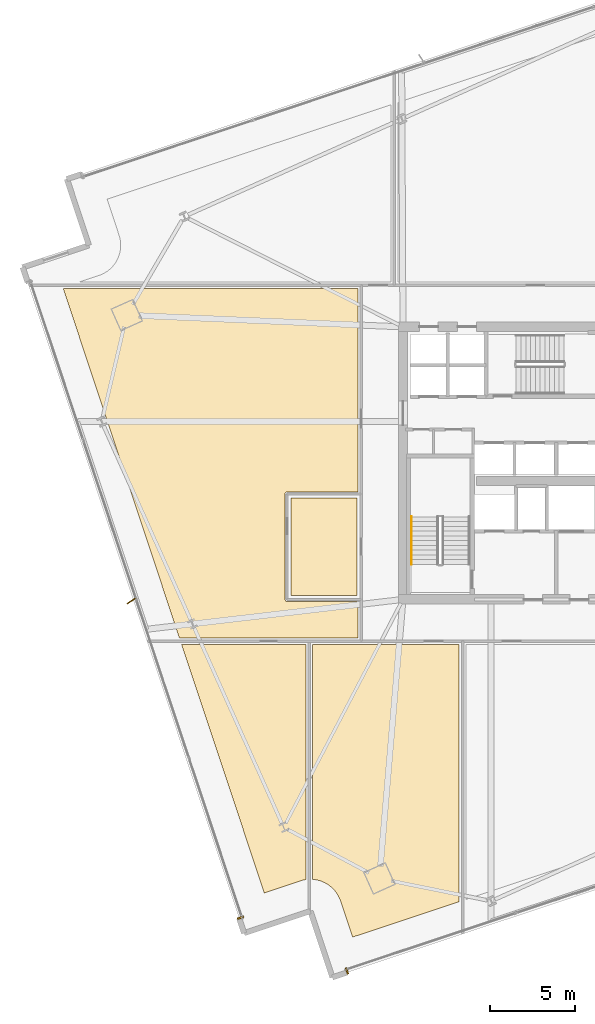
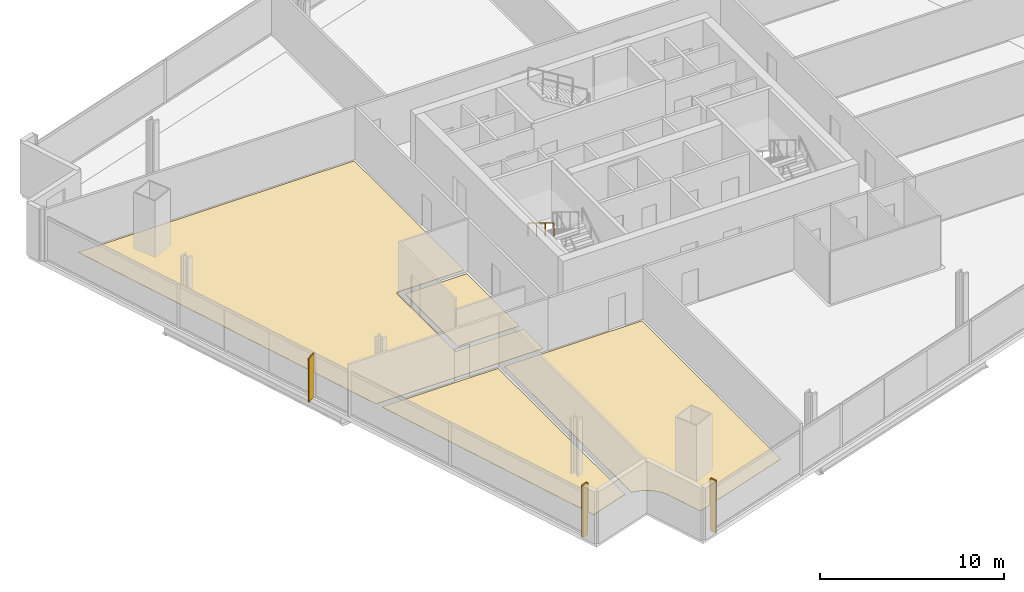
# One storey, part 29 of 34: 6 coverings, 1 railing, 1 shading device.
"""IFC4 building model written with IfcOpenShell, lengths in metres."""

from ifc_helpers import new_model, si_unit, direction, frame, origin, origin_2d, place, context, subcontext, project, spatial, polyline, rectangle, outline, extrude, source, transform, mapped, material, layer, layer_set, type_object, element, save


model = new_model("IFC4")

# Units and contexts
model_context = context("Model", 3, precision=1e-05, world=origin(), true_north=direction((0.0, 1.0)))
body_context = subcontext(model_context, "Body", "Model", "MODEL_VIEW")
ifc_project = project(units=[si_unit("LENGTHUNIT", "METRE"), si_unit("AREAUNIT", "SQUARE_METRE"), si_unit("VOLUMEUNIT", "CUBIC_METRE"), si_unit("PLANEANGLEUNIT", "RADIAN"), si_unit("MASSUNIT", "GRAM", prefix="KILO")], contexts=[model_context])

# Site, building, storey
site_placement = place(None, origin())
site = spatial("IfcSite", under=ifc_project, at=site_placement, CompositionType="ELEMENT")
building_placement = place(site_placement, origin())
building = spatial("IfcBuilding", under=site, at=building_placement, Name="Haldenkirk Collegiate Tower", CompositionType="ELEMENT")
storey_placement = place(building_placement, frame((0.0, 0.0, 90.449951171875)))
storey = spatial("IfcBuildingStorey", under=building, at=storey_placement, Name="L21", CompositionType="ELEMENT", Elevation=90.449951171875)

# Coverings
ifc_material_1 = material(Name="Polished collegiate terrazzo", Category="concrete")
ifc_layer_1 = layer(ifc_material_1, 0.02490234375)
ifc_layer_set_1 = layer_set([ifc_layer_1], Name="Polished collegiate terrazzo")
covering_type_1 = type_object("IfcCoveringType", Name="COV-FLOOR-TERRAZZO", PredefinedType="FLOORING", material=ifc_layer_set_1)
covering_1_placement = place(storey_placement, origin())
element("IfcCovering", 1, at=covering_1_placement, inside=storey, type_object=covering_type_1, Name="L21 academic room finish 02", PredefinedType="FLOORING", context=body_context, shape_type="SweptSolid", body=[
    extrude(outline(polyline([(21.300048828125, 1.548828125), (21.15625, 1.523681640625), (21.144775390625, 1.52099609375), (20.979248046875, 1.474853515625), (20.9736328125, 1.47314453125), (18.857666015625, 0.76904296875), (14.00732421875, 15.35009765625), (21.300048828125, 15.35009765625), (21.300048828125, 1.548828125)])), origin(), (0.0, 0.0, 1.0), 0.025146484375),
])
covering_2_placement = place(storey_placement, origin())
element("IfcCovering", 2, at=covering_2_placement, inside=storey, type_object=covering_type_1, Name="L21 academic room finish 08", PredefinedType="FLOORING", context=body_context, shape_type="SweptSolid", body=[
    extrude(outline(polyline([(20.199951171875, 24.320068359375), (20.188232421875, 24.3193359375), (20.176513671875, 24.317626953125), (20.165283203125, 24.314697265625), (20.154052734375, 24.310791015625), (20.143310546875, 24.305908203125), (20.13330078125, 24.2998046875), (20.123779296875, 24.292724609375), (20.114990234375, 24.284912109375), (20.107177734375, 24.276123046875), (20.10009765625, 24.2666015625), (20.09423828125, 24.256591796875), (20.089111328125, 24.245849609375), (20.085205078125, 24.23486328125), (20.082275390625, 24.223388671875), (20.08056640625, 24.2119140625), (20.080078125, 24.199951171875), (20.080078125, 18.0), (20.08056640625, 17.98828125), (20.082275390625, 17.9765625), (20.085205078125, 17.965087890625), (20.089111328125, 17.9541015625), (20.09423828125, 17.943359375), (20.10009765625, 17.933349609375), (20.107177734375, 17.923828125), (20.114990234375, 17.9150390625), (20.123779296875, 17.9072265625), (20.13330078125, 17.900146484375), (20.143310546875, 17.894287109375), (20.154052734375, 17.88916015625), (20.165283203125, 17.88525390625), (20.176513671875, 17.88232421875), (20.188232421875, 17.880615234375), (20.199951171875, 17.8798828125), (24.35009765625, 17.8798828125), (24.35009765625, 15.75), (13.874267578125, 15.75), (7.0546875, 36.25), (24.35009765625, 36.25), (24.35009765625, 24.320068359375), (20.199951171875, 24.320068359375)])), origin(), (0.0, 0.0, 1.0), 0.025146484375),
])
ifc_material_2 = material(Name="Engineered collegiate oak acoustic flooring", Category="wood")
ifc_layer_2 = layer(ifc_material_2, 0.02197265625)
ifc_layer_set_2 = layer_set([ifc_layer_2], Name="Engineered collegiate oak acoustic flooring")
covering_type_2 = type_object("IfcCoveringType", Name="COV-FLOOR-TIMBER", PredefinedType="FLOORING", material=ifc_layer_set_2)
covering_3_placement = place(storey_placement, origin())
element("IfcCovering", 3, at=covering_3_placement, inside=storey, type_object=covering_type_2, Name="L21 academic room finish 01", PredefinedType="FLOORING", context=body_context, shape_type="SweptSolid", body=[
    extrude(outline(polyline([(20.43994140625, 18.239990234375), (20.43994140625, 23.9599609375), (24.300048828125, 23.9599609375), (24.300048828125, 18.239990234375), (20.43994140625, 18.239990234375)])), origin(), (0.0, 0.0, 1.0), 0.02197265625),
])
covering_4_placement = place(storey_placement, origin())
element("IfcCovering", 4, at=covering_4_placement, inside=storey, type_object=covering_type_2, Name="L21 academic room finish 03", PredefinedType="FLOORING", context=body_context, shape_type="SweptSolid", body=[
    extrude(outline(polyline([(21.699951171875, 1.563720703125), (21.699951171875, 15.35009765625), (30.300048828125, 15.35009765625), (30.300048828125, 0.254638671875), (24.042236328125, -1.8271484375), (23.33837890625, 0.2890625), (23.33642578125, 0.29443359375), (23.2744140625, 0.45458984375), (23.26953125, 0.46533203125), (23.19189453125, 0.61865234375), (23.18603515625, 0.62890625), (23.093994140625, 0.773681640625), (23.087158203125, 0.783203125), (22.981201171875, 0.91845703125), (22.973388671875, 0.927490234375), (22.854736328125, 1.051513671875), (22.84619140625, 1.0595703125), (22.716064453125, 1.17138671875), (22.706787109375, 1.1787109375), (22.566162109375, 1.27734375), (22.55615234375, 1.28369140625), (22.406494140625, 1.367919921875), (22.39599609375, 1.373291015625), (22.23876953125, 1.4423828125), (22.227783203125, 1.44677734375), (22.064697265625, 1.500244140625), (22.053466796875, 1.50341796875), (21.8857421875, 1.540771484375), (21.8740234375, 1.542724609375), (21.70361328125, 1.563232421875), (21.699951171875, 1.563720703125)])), origin(), (0.0, 0.0, 1.0), 0.02197265625),
])

# Railing
ifc_material_3 = material(Name="Painted architectural tubular steel", Category="steel")
railing_type = type_object("IfcRailingType", Name="RLG-STAIR-HANDRAIL-900", PredefinedType="HANDRAIL", material=ifc_material_3)
railing_placement = place(storey_placement, frame((27.5, 22.85009765625, 2.04541015625)))
element("IfcRailing", 5, at=railing_placement, inside=storey, type_object=railing_type, Name="L21 ST-1 stair handrail 2", PredefinedType="HANDRAIL", context=body_context, shape_type="SweptSolid", body=[
    extrude(rectangle(XDim=0.048095703125, YDim=0.048095703125, at=origin_2d()), frame((0.0, 0.0, 0.8759765625), z_axis=(0.0, -0.854169791009, 0.51999420009), x_axis=(1.0, 0.0, 0.0)), (0.0, 0.0, 1.0), 3.278076171875),
    extrude(rectangle(XDim=0.0419921875, YDim=0.0419921875, at=origin_2d()), origin(), (0.0, 0.0, 1.0), 0.851806640625),
    extrude(rectangle(XDim=0.0419921875, YDim=0.0419921875, at=origin_2d()), frame((0.0, -0.933349609375, 0.568115234375)), (0.0, 0.0, 1.0), 0.851806640625),
    extrude(rectangle(XDim=0.0419921875, YDim=0.0419921875, at=origin_2d()), frame((0.0, -1.86669921875, 1.136474609375)), (0.0, 0.0, 1.0), 0.851806640625),
    extrude(rectangle(XDim=0.0419921875, YDim=0.0419921875, at=origin_2d()), frame((0.0, -2.800048828125, 1.70458984375)), (0.0, 0.0, 1.0), 0.851806640625),
])

# Coverings
ifc_material_4 = material(Name="Anodised architectural bronze aluminium", Category="aluminium")
ifc_layer_3 = layer(ifc_material_4, 0.06005859375)
ifc_layer_set_3 = layer_set([ifc_layer_3], Name="Anodised architectural bronze aluminium")
covering_type_3 = type_object("IfcCoveringType", Name="COV-CLAD-BRONZE-60", PredefinedType="CLADDING", material=ifc_layer_set_3)
shared_shape_1 = source(origin(), body_context, "Body", "SweptSolid", [
    extrude(rectangle(XDim=0.10009765625, YDim=0.3798828125, at=origin_2d()), origin(), (0.0, 0.0, 1.0), 3.449951171875),
])
for number, where, z_axis, x_axis, name in (
    (6, (23.712158203125, -3.812744140625, 0.0), (0.0, 0.0, 1.0), (-0.948876011644, -0.315649036947, 0.0), "L21 recessed curtain-wall bronze jamb closure SJR"),
    (7, (17.46533203125, -0.6845703125, 0.0), (0.0, 0.0, 1.0), (-0.315649036947, 0.948876011644, 0.0), "L21 recessed curtain-wall bronze jamb closure WJL"),
):
    element("IfcCovering", number, at=place(storey_placement, frame(where, z_axis=z_axis, x_axis=x_axis)), inside=storey, type_object=covering_type_3, Name=name, PredefinedType="CLADDING", context=body_context, shape_type="MappedRepresentation", body=[
        mapped(shared_shape_1, transform((0.0, 0.0, 0.0), x_axis=(1.0, 0.0, 0.0), y_axis=(0.0, 1.0, 0.0), z_axis=(0.0, 0.0, 1.0), scale=1.0)),
    ])

# Shading device
ifc_layer_4 = layer(ifc_material_4, 0.06494140625)
ifc_layer_set_4 = layer_set([ifc_layer_4], Name="Anodised architectural bronze aluminium")
shading_device_type = type_object("IfcShadingDeviceType", Name="SHD-FIN-BRONZE-620", PredefinedType="USERDEFINED", material=ifc_layer_set_4)
shared_shape_2 = source(origin(), body_context, "Body", "SweptSolid", [
    extrude(rectangle(XDim=0.6201171875, YDim=0.06494140625, at=origin_2d()), origin(), (0.0, 0.0, 1.0), 2.90087890625),
])
shading_device_placement = place(storey_placement, frame((11.06201171875, 17.9150390625, 0.0), z_axis=(0.0, 0.0, 1.0), x_axis=(-0.825113498278, -0.564967003425, 0.0)))
element("IfcShadingDevice", 8, at=shading_device_placement, inside=storey, type_object=shading_device_type, Name="L21 folded bronze solar fin 1", ObjectType="FIN", PredefinedType="USERDEFINED", context=body_context, shape_type="MappedRepresentation", body=[
    mapped(shared_shape_2, transform((0.0, 0.0, 0.0), x_axis=(1.0, 0.0, 0.0), y_axis=(0.0, 1.0, 0.0), z_axis=(0.0, 0.0, 1.0), scale=1.0)),
])

save(model, "model.ifc")
